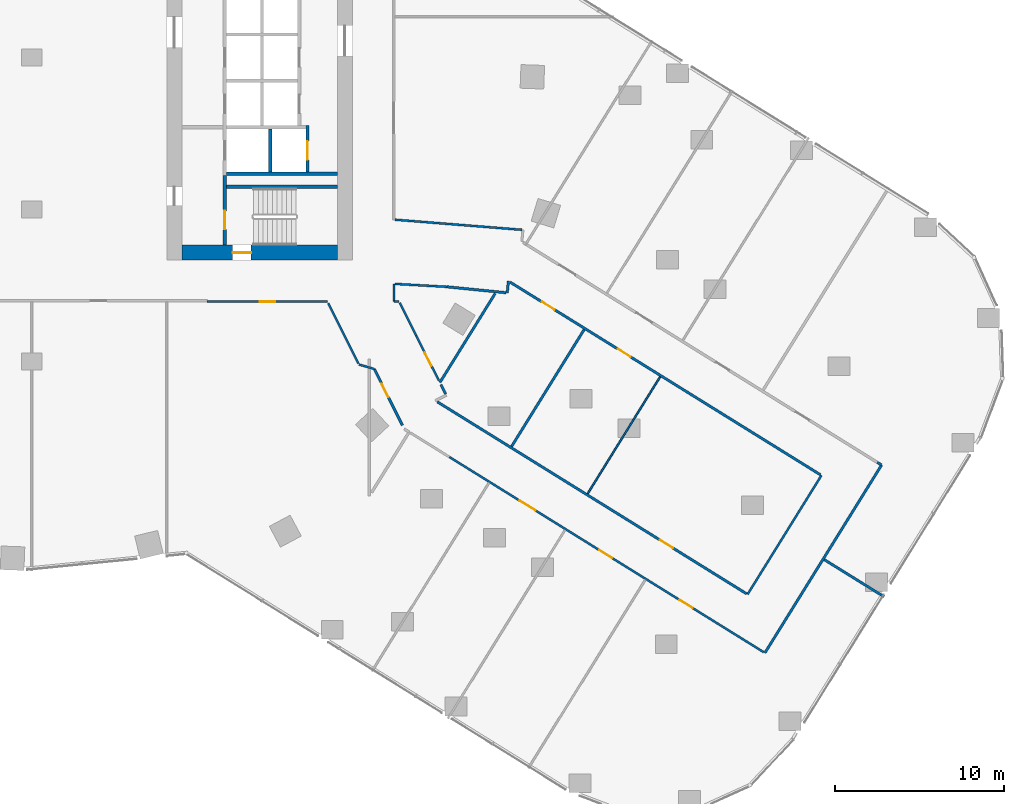
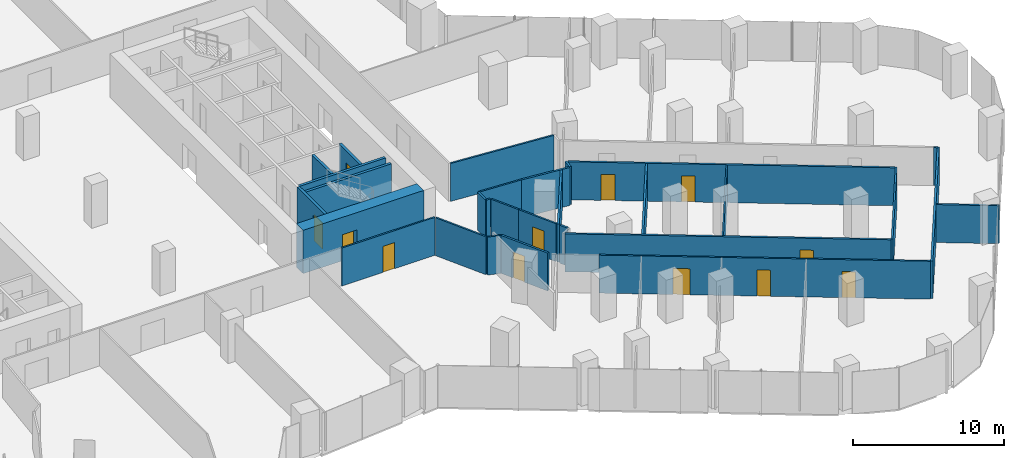
# One storey, part 30 of 34: 29 walls, 12 doors, 12 openings.
"""IFC4 building model written with IfcOpenShell, lengths in metres."""

from ifc_helpers import new_model, si_unit, direction, frame, frame_2d, origin, place, context, subcontext, project, spatial, rectangle, extrude, material, layer, layer_set, type_object, element, fill, save


model = new_model("IFC4")

# Units and contexts
model_context = context("Model", 3, precision=1e-05, world=origin(), true_north=direction((0.0, 1.0)))
body_context = subcontext(model_context, "Body", "Model", "MODEL_VIEW")
ifc_project = project(units=[si_unit("LENGTHUNIT", "METRE"), si_unit("AREAUNIT", "SQUARE_METRE"), si_unit("VOLUMEUNIT", "CUBIC_METRE"), si_unit("PLANEANGLEUNIT", "RADIAN"), si_unit("MASSUNIT", "GRAM", prefix="KILO")], contexts=[model_context])

# Site, building, storey
site_placement = place(None, origin())
site = spatial("IfcSite", under=ifc_project, at=site_placement, CompositionType="ELEMENT")
building_placement = place(site_placement, origin())
building = spatial("IfcBuilding", under=site, at=building_placement, Name="Orlundy Tower", CompositionType="ELEMENT")
storey_placement = place(building_placement, frame((0.0, 0.0, 40.800048828125)))
storey = spatial("IfcBuildingStorey", under=building, at=storey_placement, Name="L08", CompositionType="ELEMENT", Elevation=40.800048828125)

# Wall, opening, door
ifc_material_1 = material(Name="Concrete C80/95", Category="concrete")
ifc_layer_1 = layer(ifc_material_1, 0.89990234375)
ifc_layer_set_1 = layer_set([ifc_layer_1], Name="CORE WALL 900 C80/95")
wall_type_1 = type_object("IfcWallType", Name="CORE WALL 900 C80/95", PredefinedType="SHEAR", material=ifc_layer_set_1)
wall_1_placement = place(storey_placement, frame((8.89990234375, -11.550048828125, 0.0), z_axis=(0.0, 0.0, 1.0), x_axis=(1.0, 0.0, 0.0)))
wall_1 = element("IfcWall", 1, at=wall_1_placement, inside=storey, type_object=wall_type_1, Name="Core wall E-S L08", PredefinedType="SHEAR", context=body_context, shape_type="SweptSolid", body=[
    extrude(rectangle(XDim=9.2001953125, YDim=0.89990234375, at=frame_2d((4.60009765625, 0.0))), origin(), (0.0, 0.0, 1.0), 3.5),
])
opening_1_placement = place(wall_1_placement, frame((3.0, 0.0, 0.0)))
opening_1 = element("IfcOpeningElement", 2, at=opening_1_placement, cuts=wall_1, Name="Opening 09061", PredefinedType="OPENING", context=body_context, shape_type="SweptSolid", body=[
    extrude(rectangle(XDim=1.10009765625, YDim=2.10009765625, at=frame_2d((0.550048828125, 1.050048828125))), frame((0.0, 0.4599609375, 0.0), z_axis=(0.0, -1.0, 0.0), x_axis=(1.0, 0.0, 0.0)), (0.0, 0.0, 1.0), 0.919921875),
])
ifc_material_2 = material(Name="Steel door set", Category="steel")
door_type_1 = type_object("IfcDoorType", Name="Stair Door 1100x2100", OperationType="SINGLE_SWING_LEFT", PredefinedType="DOOR", material=ifc_material_2)
door_1_placement = place(opening_1_placement, origin())
door_1 = element("IfcDoor", 3, at=door_1_placement, inside=storey, type_object=door_type_1, Name="Stair door 09061", OperationType="SINGLE_SWING_LEFT", OverallHeight=2.10009765625, OverallWidth=1.10009765625, PredefinedType="DOOR", context=body_context, shape_type="SweptSolid", body=[
    extrude(rectangle(XDim=1.10009765625, YDim=2.10009765625, at=frame_2d((0.550048828125, 1.050048828125))), frame((0.0, 0.02490234375, 0.0), z_axis=(0.0, -1.0, 0.0), x_axis=(1.0, 0.0, 0.0)), (0.0, 0.0, 1.0), 0.050048828125),
])
fill(opening_1, door_1)

# Walls
ifc_material_3 = material(Name="Gypsum board partition")
ifc_layer_2 = layer(ifc_material_3, 0.10009765625)
ifc_layer_set_2 = layer_set([ifc_layer_2], Name="Floor partition 100")
wall_type_2 = type_object("IfcWallType", Name="Floor partition 100", PredefinedType="PARTITIONING", material=ifc_layer_set_2)
wall_2_placement = place(storey_placement, frame((32.930908203125, -25.827880859375, 0.0), z_axis=(0.0, 0.0, 1.0), x_axis=(0.527378524743, 0.849630444158, 0.0)))
element("IfcWall", 4, at=wall_2_placement, inside=storey, type_object=wall_type_2, Name="wall-int-L08-061", PredefinedType="PARTITIONING", context=body_context, shape_type="SweptSolid", body=[
    extrude(rectangle(XDim=8.148193359375, YDim=0.10009765625, at=frame_2d((4.07421875, 0.0))), origin(), (0.0, 0.0, 1.0), 3.06005859375),
])
ifc_material_4 = material(Name="Gypsum board partition, double layer")
ifc_layer_3 = layer(ifc_material_4, 0.125)
ifc_layer_set_3 = layer_set([ifc_layer_3], Name="Floor partition 125")
wall_type_3 = type_object("IfcWallType", Name="Floor partition 125", PredefinedType="PARTITIONING", material=ifc_layer_set_3)
wall_3_placement = place(storey_placement, frame((17.56396484375, -14.541015625, 0.0), z_axis=(0.0, 0.0, 1.0), x_axis=(0.446749443477, -0.894659116509, 0.0)))
element("IfcWall", 5, at=wall_3_placement, inside=storey, type_object=wall_type_3, Name="wall-int-L08-002", PredefinedType="PARTITIONING", context=body_context, shape_type="SweptSolid", body=[
    extrude(rectangle(XDim=3.998046875, YDim=0.125, at=frame_2d((1.9990234375, 0.0))), origin(), (0.0, 0.0, 1.0), 3.06005859375),
])
wall_4_placement = place(storey_placement, frame((21.804931640625, -14.527099609375, 0.0), z_axis=(0.0, 0.0, 1.0), x_axis=(0.446720903114, -0.894673367616, 0.0)))
element("IfcWall", 6, at=wall_4_placement, inside=storey, type_object=wall_type_3, Name="wall-int-L08-004", PredefinedType="PARTITIONING", context=body_context, shape_type="SweptSolid", body=[
    extrude(rectangle(XDim=2.1806640625, YDim=0.125, at=frame_2d((1.09033203125, 0.0))), origin(), (0.0, 0.0, 1.0), 3.06005859375),
])

# Wall, opening, door
wall_5_placement = place(storey_placement, frame((22.779052734375, -16.47802734375, 0.0), z_axis=(0.0, 0.0, 1.0), x_axis=(0.451638349486, -0.892201099121, 0.0)))
wall_5 = element("IfcWall", 7, at=wall_5_placement, inside=storey, type_object=wall_type_3, Name="wall-int-L08-006", PredefinedType="PARTITIONING", context=body_context, shape_type="SweptSolid", body=[
    extrude(rectangle(XDim=2.975830078125, YDim=0.125, at=frame_2d((1.48779296875, 0.0))), origin(), (0.0, 0.0, 1.0), 3.06005859375),
])
opening_2_placement = place(wall_5_placement, frame((1.10009765625, 0.0, 0.0)))
opening_2 = element("IfcOpeningElement", 8, at=opening_2_placement, cuts=wall_5, Name="Opening 09128", PredefinedType="OPENING", context=body_context, shape_type="SweptSolid", body=[
    extrude(rectangle(XDim=0.89990234375, YDim=2.10009765625, at=frame_2d((0.449951171875, 1.050048828125))), frame((0.0, 0.072509765625, 0.0), z_axis=(0.0, -1.0, 0.0), x_axis=(1.0, 0.0, 0.0)), (0.0, 0.0, 1.0), 0.14501953125),
])
ifc_material_5 = material(Name="Timber door leaf", Category="wood")
door_type_2 = type_object("IfcDoorType", Name="Floor door single 900 FD30S", OperationType="NOTDEFINED", PredefinedType="DOOR", material=ifc_material_5)
door_2_placement = place(opening_2_placement, origin())
door_2 = element("IfcDoor", 9, at=door_2_placement, inside=storey, type_object=door_type_2, Name="Door 09128", OperationType="SINGLE_SWING_RIGHT", OverallHeight=2.10009765625, OverallWidth=0.89990234375, PredefinedType="DOOR", context=body_context, shape_type="SweptSolid", body=[
    extrude(rectangle(XDim=0.89990234375, YDim=2.10009765625, at=frame_2d((0.449951171875, 1.050048828125))), frame((0.0, 0.02490234375, 0.0), z_axis=(0.0, -1.0, 0.0), x_axis=(1.0, 0.0, 0.0)), (0.0, 0.0, 1.0), 0.050048828125),
])
fill(opening_2, door_2)

# Wall, openings, doors
wall_6_placement = place(storey_placement, frame((43.366943359375, -35.222900390625, 0.0), z_axis=(0.0, 0.0, 1.0), x_axis=(-0.849563429412, 0.527486473197, 0.0)))
wall_6 = element("IfcWall", 10, at=wall_6_placement, inside=storey, type_object=wall_type_3, Name="wall-int-L08-021", PredefinedType="PARTITIONING", context=body_context, shape_type="SweptSolid", body=[
    extrude(rectangle(XDim=21.926513671875, YDim=0.125, at=frame_2d((10.96337890625, 0.0))), origin(), (0.0, 0.0, 1.0), 3.06005859375),
])
opening_3_placement = place(wall_6_placement, frame((10.57373046875, 0.0, 0.0)))
opening_3 = element("IfcOpeningElement", 11, at=opening_3_placement, cuts=wall_6, Name="Opening 09105", PredefinedType="OPENING", context=body_context, shape_type="SweptSolid", body=[
    extrude(rectangle(XDim=0.89990234375, YDim=2.10009765625, at=frame_2d((0.449951171875, 1.050048828125))), frame((0.0, 0.072509765625, 0.0), z_axis=(0.0, -1.0, 0.0), x_axis=(1.0, 0.0, 0.0)), (0.0, 0.0, 1.0), 0.14501953125),
])
opening_4_placement = place(wall_6_placement, frame((4.97314453125, 0.0, 0.0)))
opening_4 = element("IfcOpeningElement", 12, at=opening_4_placement, cuts=wall_6, Name="Opening 09108", PredefinedType="OPENING", context=body_context, shape_type="SweptSolid", body=[
    extrude(rectangle(XDim=0.89990234375, YDim=2.10009765625, at=frame_2d((0.449951171875, 1.050048828125))), frame((0.0, 0.072509765625, 0.0), z_axis=(0.0, -1.0, 0.0), x_axis=(1.0, 0.0, 0.0)), (0.0, 0.0, 1.0), 0.14501953125),
])
opening_5_placement = place(wall_6_placement, frame((15.922607421875, 0.0, 0.0)))
opening_5 = element("IfcOpeningElement", 13, at=opening_5_placement, cuts=wall_6, Name="Opening 09109", PredefinedType="OPENING", context=body_context, shape_type="SweptSolid", body=[
    extrude(rectangle(XDim=1.10009765625, YDim=2.10009765625, at=frame_2d((0.550048828125, 1.050048828125))), frame((0.0, 0.072509765625, 0.0), z_axis=(0.0, -1.0, 0.0), x_axis=(1.0, 0.0, 0.0)), (0.0, 0.0, 1.0), 0.14501953125),
])
door_3_placement = place(opening_3_placement, origin())
door_3 = element("IfcDoor", 14, at=door_3_placement, inside=storey, type_object=door_type_2, Name="Door 09105", OperationType="SINGLE_SWING_RIGHT", OverallHeight=2.10009765625, OverallWidth=0.89990234375, PredefinedType="DOOR", context=body_context, shape_type="SweptSolid", body=[
    extrude(rectangle(XDim=0.89990234375, YDim=2.10009765625, at=frame_2d((0.449951171875, 1.050048828125))), frame((0.0, 0.02490234375, 0.0), z_axis=(0.0, -1.0, 0.0), x_axis=(1.0, 0.0, 0.0)), (0.0, 0.0, 1.0), 0.050048828125),
])
fill(opening_3, door_3)
door_4_placement = place(opening_4_placement, origin())
door_4 = element("IfcDoor", 15, at=door_4_placement, inside=storey, type_object=door_type_2, Name="Door 09108", OperationType="SINGLE_SWING_LEFT", OverallHeight=2.10009765625, OverallWidth=0.89990234375, PredefinedType="DOOR", context=body_context, shape_type="SweptSolid", body=[
    extrude(rectangle(XDim=0.89990234375, YDim=2.10009765625, at=frame_2d((0.449951171875, 1.050048828125))), frame((0.0, 0.02490234375, 0.0), z_axis=(0.0, -1.0, 0.0), x_axis=(1.0, 0.0, 0.0)), (0.0, 0.0, 1.0), 0.050048828125),
])
fill(opening_4, door_4)
ifc_material_6 = material(Name="Timber door leaf", Category="wood")
door_type_3 = type_object("IfcDoorType", Name="Floor door xwide 1100 FD30S", OperationType="NOTDEFINED", PredefinedType="DOOR", material=ifc_material_6)
door_5_placement = place(opening_5_placement, origin())
door_5 = element("IfcDoor", 16, at=door_5_placement, inside=storey, type_object=door_type_3, Name="Door 09109", OperationType="SINGLE_SWING_RIGHT", OverallHeight=2.10009765625, OverallWidth=1.10009765625, PredefinedType="DOOR", context=body_context, shape_type="SweptSolid", body=[
    extrude(rectangle(XDim=1.10009765625, YDim=2.10009765625, at=frame_2d((0.550048828125, 1.050048828125))), frame((0.0, 0.02490234375, 0.0), z_axis=(0.0, -1.0, 0.0), x_axis=(1.0, 0.0, 0.0)), (0.0, 0.0, 1.0), 0.050048828125),
])
fill(opening_5, door_5)

# Walls
wall_7_placement = place(storey_placement, frame((24.60400390625, -13.576904296875, 0.0), z_axis=(0.0, 0.0, 1.0), x_axis=(-0.998441130735, 0.055814948327, 0.0)))
element("IfcWall", 17, at=wall_7_placement, inside=storey, type_object=wall_type_3, Name="wall-int-L08-030", PredefinedType="PARTITIONING", context=body_context, shape_type="SweptSolid", body=[
    extrude(rectangle(XDim=3.096923828125, YDim=0.125, at=frame_2d((1.54833984375, 0.0))), origin(), (0.0, 0.0, 1.0), 3.06005859375),
])
wall_8_placement = place(storey_placement, frame((29.0400390625, -10.198974609375, 0.0), z_axis=(0.0, 0.0, 1.0), x_axis=(-0.996840412967, 0.079430416561, 0.0)))
element("IfcWall", 18, at=wall_8_placement, inside=storey, type_object=wall_type_3, Name="wall-int-L08-031", PredefinedType="PARTITIONING", context=body_context, shape_type="SweptSolid", body=[
    extrude(rectangle(XDim=7.552001953125, YDim=0.125, at=frame_2d((3.77587890625, 0.0))), origin(), (0.0, 0.0, 1.0), 3.06005859375),
])

# Wall, opening, door
wall_9_placement = place(storey_placement, frame((17.51904296875, -14.450927734375, 0.0), z_axis=(0.0, 0.0, 1.0), x_axis=(-1.0, 0.0, 0.0)))
wall_9 = element("IfcWall", 19, at=wall_9_placement, inside=storey, type_object=wall_type_3, Name="wall-int-L08-035", PredefinedType="PARTITIONING", context=body_context, shape_type="SweptSolid", body=[
    extrude(rectangle(XDim=7.1279296875, YDim=0.125, at=frame_2d((3.56396484375, 0.0))), origin(), (0.0, 0.0, 1.0), 3.06005859375),
])
opening_6_placement = place(wall_9_placement, frame((3.10009765625, 0.0, 0.0)))
opening_6 = element("IfcOpeningElement", 20, at=opening_6_placement, cuts=wall_9, Name="Opening 09127", PredefinedType="OPENING", context=body_context, shape_type="SweptSolid", body=[
    extrude(rectangle(XDim=0.89990234375, YDim=2.10009765625, at=frame_2d((0.449951171875, 1.050048828125))), frame((0.0, 0.072509765625, 0.0), z_axis=(0.0, -1.0, 0.0), x_axis=(1.0, 0.0, 0.0)), (0.0, 0.0, 1.0), 0.14501953125),
])
door_6_placement = place(opening_6_placement, origin())
door_6 = element("IfcDoor", 21, at=door_6_placement, inside=storey, type_object=door_type_2, Name="Door 09127", OperationType="SINGLE_SWING_LEFT", OverallHeight=2.10009765625, OverallWidth=0.89990234375, PredefinedType="DOOR", context=body_context, shape_type="SweptSolid", body=[
    extrude(rectangle(XDim=0.89990234375, YDim=2.10009765625, at=frame_2d((0.449951171875, 1.050048828125))), frame((0.0, 0.02490234375, 0.0), z_axis=(0.0, -1.0, 0.0), x_axis=(1.0, 0.0, 0.0)), (0.0, 0.0, 1.0), 0.050048828125),
])
fill(opening_6, door_6)

# Walls
wall_10_placement = place(storey_placement, frame((21.449951171875, -14.43896484375, 0.0), z_axis=(0.0, 0.0, 1.0), x_axis=(1.0, 0.0, 0.0)))
element("IfcWall", 22, at=wall_10_placement, inside=storey, type_object=wall_type_3, Name="wall-int-L08-036", PredefinedType="PARTITIONING", context=body_context, shape_type="SweptSolid", body=[
    extrude(rectangle(XDim=0.302001953125, YDim=0.125, at=frame_2d((0.15087890625, 0.0))), origin(), (0.0, 0.0, 1.0), 3.06005859375),
])
wall_11_placement = place(storey_placement, frame((19.37890625, -18.175048828125, 0.0), z_axis=(0.0, 0.0, 1.0), x_axis=(0.958442111331, -0.285287082127, 0.0)))
element("IfcWall", 23, at=wall_11_placement, inside=storey, type_object=wall_type_3, Name="wall-int-L08-045", PredefinedType="PARTITIONING", context=body_context, shape_type="SweptSolid", body=[
    extrude(rectangle(XDim=0.956787109375, YDim=0.125, at=frame_2d((0.478515625, 0.0))), origin(), (0.0, 0.0, 1.0), 3.06005859375),
])
wall_12_placement = place(storey_placement, frame((42.405029296875, -31.799072265625, 0.0), z_axis=(0.0, 0.0, 1.0), x_axis=(0.527540070889, 0.849530148733, 0.0)))
element("IfcWall", 24, at=wall_12_placement, inside=storey, type_object=wall_type_3, Name="wall-int-L08-057", PredefinedType="PARTITIONING", context=body_context, shape_type="SweptSolid", body=[
    extrude(rectangle(XDim=8.298828125, YDim=0.125, at=frame_2d((4.1494140625, 0.0))), origin(), (0.0, 0.0, 1.0), 3.06005859375),
])
wall_13_placement = place(storey_placement, frame((21.449951171875, -14.43896484375, 0.0), z_axis=(0.0, 0.0, 1.0), x_axis=(0.0, 1.0, 0.0)))
element("IfcWall", 25, at=wall_13_placement, inside=storey, type_object=wall_type_3, Name="wall-int-L08-074", PredefinedType="PARTITIONING", context=body_context, shape_type="SweptSolid", body=[
    extrude(rectangle(XDim=1.0390625, YDim=0.125, at=frame_2d((0.51953125, 0.0))), origin(), (0.0, 0.0, 1.0), 3.06005859375),
])

# Wall, opening, door
ifc_material_7 = material(Name="Blockwork shaft wall", Category="masonry")
ifc_layer_4 = layer(ifc_material_7, 0.14990234375)
ifc_layer_set_4 = layer_set([ifc_layer_4], Name="Floor shaft wall 150")
wall_type_4 = type_object("IfcWallType", Name="Floor shaft wall 150", PredefinedType="PARTITIONING", material=ifc_layer_set_4)
wall_14_placement = place(storey_placement, frame((21.95703125, -21.77587890625, 0.0), z_axis=(0.0, 0.0, 1.0), x_axis=(-0.446609612261, 0.894728927797, 0.0)))
wall_14 = element("IfcWall", 26, at=wall_14_placement, inside=storey, type_object=wall_type_4, Name="wall-int-L08-003", PredefinedType="PARTITIONING", context=body_context, shape_type="SweptSolid", body=[
    extrude(rectangle(XDim=3.719482421875, YDim=0.14990234375, at=frame_2d((1.85986328125, 0.0))), origin(), (0.0, 0.0, 1.0), 3.06005859375),
])
opening_7_placement = place(wall_14_placement, frame((1.85009765625, 0.0, 0.0)))
opening_7 = element("IfcOpeningElement", 27, at=opening_7_placement, cuts=wall_14, Name="Opening 09120", PredefinedType="OPENING", context=body_context, shape_type="SweptSolid", body=[
    extrude(rectangle(XDim=0.89990234375, YDim=2.10009765625, at=frame_2d((0.449951171875, 1.050048828125))), frame((0.0, 0.0849609375, 0.0), z_axis=(0.0, -1.0, 0.0), x_axis=(1.0, 0.0, 0.0)), (0.0, 0.0, 1.0), 0.169921875),
])
ifc_material_8 = material(Name="Timber door leaf", Category="wood")
door_type_4 = type_object("IfcDoorType", Name="Floor door single 900 FD60", OperationType="NOTDEFINED", PredefinedType="DOOR", material=ifc_material_8)
door_7_placement = place(opening_7_placement, origin())
door_7 = element("IfcDoor", 28, at=door_7_placement, inside=storey, type_object=door_type_4, Name="Door 09120", OperationType="SINGLE_SWING_RIGHT", OverallHeight=2.10009765625, OverallWidth=0.89990234375, PredefinedType="DOOR", context=body_context, shape_type="SweptSolid", body=[
    extrude(rectangle(XDim=0.89990234375, YDim=2.10009765625, at=frame_2d((0.449951171875, 1.050048828125))), frame((0.0, 0.02490234375, 0.0), z_axis=(0.0, -1.0, 0.0), x_axis=(1.0, 0.0, 0.0)), (0.0, 0.0, 1.0), 0.050048828125),
])
fill(opening_7, door_7)

# Wall
wall_15_placement = place(storey_placement, frame((24.239990234375, -19.364013671875, 0.0), z_axis=(0.0, 0.0, 1.0), x_axis=(0.451527001133, -0.892257455698, 0.0)))
element("IfcWall", 29, at=wall_15_placement, inside=storey, type_object=wall_type_4, Name="wall-int-L08-005", PredefinedType="PARTITIONING", context=body_context, shape_type="SweptSolid", body=[
    extrude(rectangle(XDim=0.633056640625, YDim=0.14990234375, at=frame_2d((0.31640625, 0.0))), origin(), (0.0, 0.0, 1.0), 3.06005859375),
])

# Wall, opening, door
wall_16_placement = place(storey_placement, frame((24.028076171875, -20.389892578125, 0.0), z_axis=(0.0, 0.0, 1.0), x_axis=(0.8496545068, -0.527339756775, 0.0)))
wall_16 = element("IfcWall", 30, at=wall_16_placement, inside=storey, type_object=wall_type_4, Name="wall-int-L08-022", PredefinedType="PARTITIONING", context=body_context, shape_type="SweptSolid", body=[
    extrude(rectangle(XDim=21.568603515625, YDim=0.14990234375, at=frame_2d((10.7841796875, 0.0))), origin(), (0.0, 0.0, 1.0), 3.06005859375),
])
opening_8_placement = place(wall_16_placement, frame((15.53173828125, 0.0, 0.0)))
opening_8 = element("IfcOpeningElement", 31, at=opening_8_placement, cuts=wall_16, Name="Opening 09106", PredefinedType="OPENING", context=body_context, shape_type="SweptSolid", body=[
    extrude(rectangle(XDim=0.89990234375, YDim=2.10009765625, at=frame_2d((0.449951171875, 1.050048828125))), frame((0.0, 0.0849609375, 0.0), z_axis=(0.0, -1.0, 0.0), x_axis=(1.0, 0.0, 0.0)), (0.0, 0.0, 1.0), 0.169921875),
])
door_8_placement = place(opening_8_placement, origin())
door_8 = element("IfcDoor", 32, at=door_8_placement, inside=storey, type_object=door_type_4, Name="Door 09106", OperationType="SINGLE_SWING_RIGHT", OverallHeight=2.10009765625, OverallWidth=0.89990234375, PredefinedType="DOOR", context=body_context, shape_type="SweptSolid", body=[
    extrude(rectangle(XDim=0.89990234375, YDim=2.10009765625, at=frame_2d((0.449951171875, 1.050048828125))), frame((0.0, 0.02490234375, 0.0), z_axis=(0.0, -1.0, 0.0), x_axis=(1.0, 0.0, 0.0)), (0.0, 0.0, 1.0), 0.050048828125),
])
fill(opening_8, door_8)

# Wall
wall_17_placement = place(storey_placement, frame((46.952880859375, -29.739013671875, 0.0), z_axis=(0.0, 0.0, 1.0), x_axis=(0.849653722919, -0.527341019767, 0.0)))
element("IfcWall", 33, at=wall_17_placement, inside=storey, type_object=wall_type_4, Name="wall-int-L08-023", PredefinedType="PARTITIONING", context=body_context, shape_type="SweptSolid", body=[
    extrude(rectangle(XDim=4.173583984375, YDim=0.14990234375, at=frame_2d((2.0869140625, 0.0))), origin(), (0.0, 0.0, 1.0), 3.06005859375),
])

# Wall, openings, doors
wall_18_placement = place(storey_placement, frame((46.72998046875, -24.716064453125, 0.0), z_axis=(0.0, 0.0, 1.0), x_axis=(-0.849574284109, 0.527468990349, 0.0)))
wall_18 = element("IfcWall", 34, at=wall_18_placement, inside=storey, type_object=wall_type_4, Name="wall-int-L08-024", PredefinedType="PARTITIONING", context=body_context, shape_type="SweptSolid", body=[
    extrude(rectangle(XDim=21.644775390625, YDim=0.14990234375, at=frame_2d((10.822265625, 0.0))), origin(), (0.0, 0.0, 1.0), 3.06005859375),
])
opening_9_placement = place(wall_18_placement, frame((18.537109375, 0.0, 0.0)))
opening_9 = element("IfcOpeningElement", 35, at=opening_9_placement, cuts=wall_18, Name="Opening 09102", PredefinedType="OPENING", context=body_context, shape_type="SweptSolid", body=[
    extrude(rectangle(XDim=0.89990234375, YDim=2.10009765625, at=frame_2d((0.449951171875, 1.050048828125))), frame((0.0, 0.0849609375, 0.0), z_axis=(0.0, -1.0, 0.0), x_axis=(1.0, 0.0, 0.0)), (0.0, 0.0, 1.0), 0.169921875),
])
opening_10_placement = place(wall_18_placement, frame((13.2373046875, 0.0, 0.0)))
opening_10 = element("IfcOpeningElement", 36, at=opening_10_placement, cuts=wall_18, Name="Opening 09103", PredefinedType="OPENING", context=body_context, shape_type="SweptSolid", body=[
    extrude(rectangle(XDim=0.89990234375, YDim=2.10009765625, at=frame_2d((0.449951171875, 1.050048828125))), frame((0.0, 0.0849609375, 0.0), z_axis=(0.0, -1.0, 0.0), x_axis=(1.0, 0.0, 0.0)), (0.0, 0.0, 1.0), 0.169921875),
])
door_9_placement = place(opening_9_placement, origin())
door_9 = element("IfcDoor", 37, at=door_9_placement, inside=storey, type_object=door_type_4, Name="Door 09102", OperationType="SINGLE_SWING_RIGHT", OverallHeight=2.10009765625, OverallWidth=0.89990234375, PredefinedType="DOOR", context=body_context, shape_type="SweptSolid", body=[
    extrude(rectangle(XDim=0.89990234375, YDim=2.10009765625, at=frame_2d((0.449951171875, 1.050048828125))), frame((0.0, 0.02490234375, 0.0), z_axis=(0.0, -1.0, 0.0), x_axis=(1.0, 0.0, 0.0)), (0.0, 0.0, 1.0), 0.050048828125),
])
fill(opening_9, door_9)
door_10_placement = place(opening_10_placement, origin())
door_10 = element("IfcDoor", 38, at=door_10_placement, inside=storey, type_object=door_type_4, Name="Door 09103", OperationType="SINGLE_SWING_RIGHT", OverallHeight=2.10009765625, OverallWidth=0.89990234375, PredefinedType="DOOR", context=body_context, shape_type="SweptSolid", body=[
    extrude(rectangle(XDim=0.89990234375, YDim=2.10009765625, at=frame_2d((0.449951171875, 1.050048828125))), frame((0.0, 0.02490234375, 0.0), z_axis=(0.0, -1.0, 0.0), x_axis=(1.0, 0.0, 0.0)), (0.0, 0.0, 1.0), 0.050048828125),
])
fill(opening_10, door_10)

# Walls
wall_19_placement = place(storey_placement, frame((50.087890625, -23.97509765625, 0.0), z_axis=(0.0, 0.0, 1.0), x_axis=(0.850230466056, -0.526410633051, 0.0)))
element("IfcWall", 39, at=wall_19_placement, inside=storey, type_object=wall_type_4, Name="wall-int-L08-025", PredefinedType="PARTITIONING", context=body_context, shape_type="SweptSolid", body=[
    extrude(rectangle(XDim=0.300048828125, YDim=0.14990234375, at=frame_2d((0.14990234375, 0.0))), origin(), (0.0, 0.0, 1.0), 3.06005859375),
])
wall_20_placement = place(storey_placement, frame((24.60400390625, -13.576904296875, 0.0), z_axis=(0.0, 0.0, 1.0), x_axis=(0.995072238477, -0.099152610724, 0.0)))
element("IfcWall", 40, at=wall_20_placement, inside=storey, type_object=wall_type_4, Name="wall-int-L08-029", PredefinedType="PARTITIONING", context=body_context, shape_type="SweptSolid", body=[
    extrude(rectangle(XDim=3.51123046875, YDim=0.14990234375, at=frame_2d((1.755615234375, 0.0))), origin(), (0.0, 0.0, 1.0), 3.06005859375),
])
wall_21_placement = place(storey_placement, frame((43.43408203125, -35.262939453125, 0.0), z_axis=(0.0, 0.0, 1.0), x_axis=(0.527631447849, 0.849473398783, 0.0)))
element("IfcWall", 41, at=wall_21_placement, inside=storey, type_object=wall_type_4, Name="wall-int-L08-056", PredefinedType="PARTITIONING", context=body_context, shape_type="SweptSolid", body=[
    extrude(rectangle(XDim=13.099853515625, YDim=0.14990234375, at=frame_2d((6.5498046875, 0.0))), origin(), (0.0, 0.0, 1.0), 3.06005859375),
])
wall_22_placement = place(storey_placement, frame((28.427978515625, -23.031982421875, 0.0), z_axis=(0.0, 0.0, 1.0), x_axis=(0.527432232041, 0.84959710487, 0.0)))
element("IfcWall", 42, at=wall_22_placement, inside=storey, type_object=wall_type_4, Name="wall-int-L08-064", PredefinedType="PARTITIONING", context=body_context, shape_type="SweptSolid", body=[
    extrude(rectangle(XDim=8.147216796875, YDim=0.14990234375, at=frame_2d((4.07373046875, 0.0))), origin(), (0.0, 0.0, 1.0), 3.06005859375),
])
wall_23_placement = place(storey_placement, frame((24.179931640625, -19.2451171875, 0.0), z_axis=(0.0, 0.0, 1.0), x_axis=(0.527399070795, 0.849617690567, 0.0)))
element("IfcWall", 43, at=wall_23_placement, inside=storey, type_object=wall_type_4, Name="wall-int-L08-067", PredefinedType="PARTITIONING", context=body_context, shape_type="SweptSolid", body=[
    extrude(rectangle(XDim=6.2099609375, YDim=0.14990234375, at=frame_2d((3.10498046875, 0.0))), origin(), (0.0, 0.0, 1.0), 3.06005859375),
])
wall_24_placement = place(storey_placement, frame((28.1689453125, -13.931884765625, 0.0), z_axis=(0.0, 0.0, 1.0), x_axis=(0.100195004938, 0.99496781907, 0.0)))
element("IfcWall", 44, at=wall_24_placement, inside=storey, type_object=wall_type_4, Name="wall-int-L08-072", PredefinedType="PARTITIONING", context=body_context, shape_type="SweptSolid", body=[
    extrude(rectangle(XDim=0.69921875, YDim=0.14990234375, at=frame_2d((0.349609375, 0.0))), origin(), (0.0, 0.0, 1.0), 3.06005859375),
])

# Wall, opening, door
ifc_material_9 = material(Name="Concrete C40/50", Category="concrete")
ifc_layer_5 = layer(ifc_material_9, 0.199951171875)
ifc_layer_set_5 = layer_set([ifc_layer_5], Name="Load-bearing Shaft Wall 200")
wall_type_5 = type_object("IfcWallType", Name="Load-bearing Shaft Wall 200", PredefinedType="SOLIDWALL", material=ifc_layer_set_5)
wall_25_placement = place(storey_placement, frame((11.43994140625, -6.97509765625, 0.0), z_axis=(0.0, 0.0, 1.0), x_axis=(0.0, -1.0, 0.0)))
wall_25 = element("IfcWall", 45, at=wall_25_placement, inside=storey, type_object=wall_type_5, Name="Shaft wall E09-stair-end-n", PredefinedType="SOLIDWALL", context=body_context, shape_type="SweptSolid", body=[
    extrude(rectangle(XDim=4.125, YDim=0.199951171875, at=frame_2d((2.0625, 0.0))), origin(), (0.0, 0.0, 1.0), 3.079833984375),
])
opening_11_placement = place(wall_25_placement, frame((2.10009765625, 0.0, 0.0)))
opening_11 = element("IfcOpeningElement", 46, at=opening_11_placement, cuts=wall_25, Name="Opening 09063", PredefinedType="OPENING", context=body_context, shape_type="SweptSolid", body=[
    extrude(rectangle(XDim=1.10009765625, YDim=2.10009765625, at=frame_2d((0.550048828125, 1.050048828125))), frame((0.0, 0.110107421875, 0.0), z_axis=(0.0, -1.0, 0.0), x_axis=(1.0, 0.0, 0.0)), (0.0, 0.0, 1.0), 0.22021484375),
])
ifc_material_10 = material(Name="Steel door set", Category="steel")
door_type_5 = type_object("IfcDoorType", Name="Fire-fighting Lobby Door 1100x2100", OperationType="SINGLE_SWING_LEFT", PredefinedType="DOOR", material=ifc_material_10)
door_11_placement = place(opening_11_placement, origin())
door_11 = element("IfcDoor", 47, at=door_11_placement, inside=storey, type_object=door_type_5, Name="Fire-fighting lobby to stair door 09063", OperationType="SINGLE_SWING_RIGHT", OverallHeight=2.10009765625, OverallWidth=1.10009765625, PredefinedType="DOOR", context=body_context, shape_type="SweptSolid", body=[
    extrude(rectangle(XDim=1.10009765625, YDim=2.10009765625, at=frame_2d((0.550048828125, 1.050048828125))), frame((0.0, 0.02490234375, 0.0), z_axis=(0.0, -1.0, 0.0), x_axis=(1.0, 0.0, 0.0)), (0.0, 0.0, 1.0), 0.050048828125),
])
fill(opening_11, door_11)

# Walls
wall_26_placement = place(storey_placement, frame((11.5400390625, -7.64990234375, 0.0), z_axis=(0.0, 0.0, 1.0), x_axis=(1.0, 0.0, 0.0)))
element("IfcWall", 48, at=wall_26_placement, inside=storey, type_object=wall_type_5, Name="Shaft wall E09-stair-side-n", PredefinedType="SOLIDWALL", context=body_context, shape_type="SweptSolid", body=[
    extrude(rectangle(XDim=6.56005859375, YDim=0.199951171875, at=frame_2d((3.280029296875, 0.0))), origin(), (0.0, 0.0, 1.0), 3.079833984375),
])
ifc_material_11 = material(Name="Fire-rated blockwork shaft wall", Category="masonry")
ifc_layer_6 = layer(ifc_material_11, 0.199951171875)
ifc_layer_set_6 = layer_set([ifc_layer_6], Name="Shaft Wall 200")
wall_type_6 = type_object("IfcWallType", Name="Shaft Wall 200", PredefinedType="SOLIDWALL", material=ifc_layer_set_6)
wall_27_placement = place(storey_placement, frame((11.5400390625, -6.875, 0.0), z_axis=(0.0, 0.0, 1.0), x_axis=(1.0, 0.0, 0.0)))
element("IfcWall", 49, at=wall_27_placement, inside=storey, type_object=wall_type_6, Name="Shaft wall E09-zone-n", PredefinedType="SOLIDWALL", context=body_context, shape_type="SweptSolid", body=[
    extrude(rectangle(XDim=6.56005859375, YDim=0.199951171875, at=frame_2d((3.280029296875, 0.0))), origin(), (0.0, 0.0, 1.0), 3.079833984375),
])
wall_28_placement = place(storey_placement, frame((14.139892578125, -4.22509765625, 0.0), z_axis=(0.0, 0.0, 1.0), x_axis=(0.0, -1.0, 0.0)))
element("IfcWall", 50, at=wall_28_placement, inside=storey, type_object=wall_type_6, Name="Shaft wall E09-mid-b", PredefinedType="SOLIDWALL", context=body_context, shape_type="SweptSolid", body=[
    extrude(rectangle(XDim=2.5498046875, YDim=0.199951171875, at=frame_2d((1.27490234375, 0.0))), origin(), (0.0, 0.0, 1.0), 3.079833984375),
])

# Wall, opening, door
wall_29_placement = place(storey_placement, frame((16.340087890625, -4.02490234375, 0.0), z_axis=(0.0, 0.0, 1.0), x_axis=(0.0, -1.0, 0.0)))
wall_29 = element("IfcWall", 51, at=wall_29_placement, inside=storey, type_object=wall_type_6, Name="Shaft wall E09-front-o-c", PredefinedType="SOLIDWALL", context=body_context, shape_type="SweptSolid", body=[
    extrude(rectangle(XDim=2.75, YDim=0.199951171875, at=frame_2d((1.375, 0.0))), origin(), (0.0, 0.0, 1.0), 3.079833984375),
])
opening_12_placement = place(wall_29_placement, frame((0.925048828125, 0.0, 0.0)))
opening_12 = element("IfcOpeningElement", 52, at=opening_12_placement, cuts=wall_29, Name="Opening 09056", PredefinedType="OPENING", context=body_context, shape_type="SweptSolid", body=[
    extrude(rectangle(XDim=1.10009765625, YDim=2.10009765625, at=frame_2d((0.550048828125, 1.050048828125))), frame((0.0, 0.110107421875, 0.0), z_axis=(0.0, -1.0, 0.0), x_axis=(1.0, 0.0, 0.0)), (0.0, 0.0, 1.0), 0.22021484375),
])
ifc_material_12 = material(Name="Steel door set", Category="steel")
door_type_6 = type_object("IfcDoorType", Name="Landing Door 1100x2100", OperationType="DOUBLE_DOOR_SLIDING", PredefinedType="DOOR", material=ifc_material_12)
door_12_placement = place(opening_12_placement, origin())
door_12 = element("IfcDoor", 53, at=door_12_placement, inside=storey, type_object=door_type_6, Name="Lift landing door LP-09 09056", OperationType="DOUBLE_DOOR_SLIDING", OverallHeight=2.10009765625, OverallWidth=1.10009765625, PredefinedType="DOOR", context=body_context, shape_type="SweptSolid", body=[
    extrude(rectangle(XDim=1.10009765625, YDim=2.10009765625, at=frame_2d((0.550048828125, 1.050048828125))), frame((0.0, 0.02490234375, 0.0), z_axis=(0.0, -1.0, 0.0), x_axis=(1.0, 0.0, 0.0)), (0.0, 0.0, 1.0), 0.050048828125),
])
fill(opening_12, door_12)

save(model, "model.ifc")
